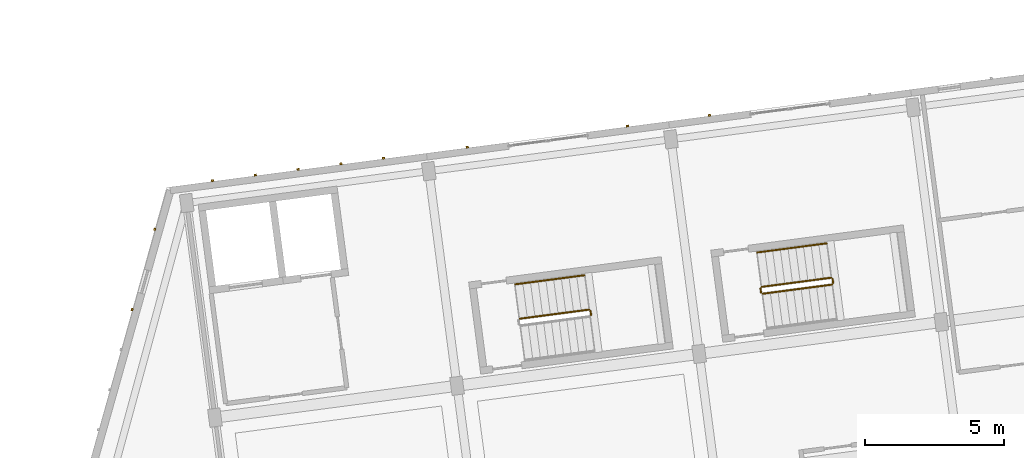
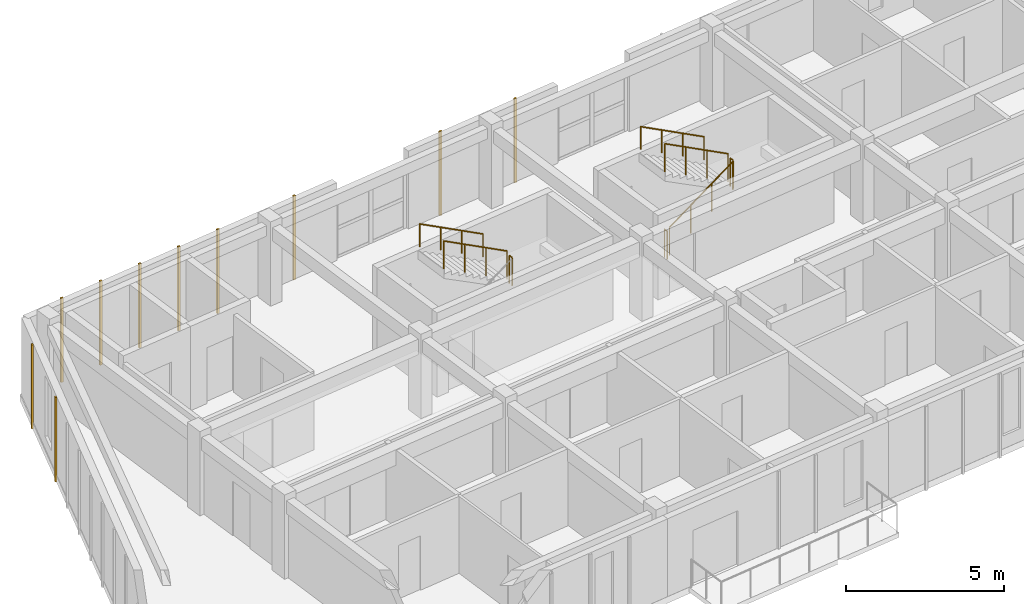
# One storey, part 33 of 45: 10 coverings, 8 railings.
"""IFC4 building model written with IfcOpenShell, lengths in metres."""

from ifc_helpers import new_model, si_unit, direction, frame, origin, origin_2d, place, context, subcontext, project, spatial, rectangle, circle, extrude, material, layer, layer_set, type_object, element, save


model = new_model("IFC4")

# Units and contexts
model_context = context("Model", 3, precision=1e-05, world=origin(), true_north=direction((0.0, 1.0)))
body_context = subcontext(model_context, "Body", "Model", "MODEL_VIEW")
ifc_project = project(units=[si_unit("LENGTHUNIT", "METRE"), si_unit("AREAUNIT", "SQUARE_METRE"), si_unit("VOLUMEUNIT", "CUBIC_METRE"), si_unit("PLANEANGLEUNIT", "RADIAN"), si_unit("MASSUNIT", "GRAM", prefix="KILO")], contexts=[model_context])

# Site, building, storey
site_placement = place(None, origin())
site = spatial("IfcSite", under=ifc_project, at=site_placement, CompositionType="ELEMENT")
building_placement = place(site_placement, origin())
building = spatial("IfcBuilding", under=site, at=building_placement, Name="Kestramere Prow Commons", CompositionType="ELEMENT")
storey_placement = place(building_placement, frame((0.0, 0.0, 31.14990234375)))
storey = spatial("IfcBuildingStorey", under=building, at=storey_placement, Name="L09", CompositionType="ELEMENT", Elevation=31.14990234375)

# Coverings
ifc_material_1 = material(Name="Weathered Zinc-Titanium Standing-Seam Cladding")
ifc_layer = layer(ifc_material_1, 0.074951171875)
ifc_layer_set = layer_set([ifc_layer], Name="Weathered Zinc-Titanium Standing-Seam Cladding")
covering_type = type_object("IfcCoveringType", Name="COV-CLAD-SEAM", PredefinedType="CLADDING", material=ifc_layer_set)
for number, where, z_axis, x_axis, name in (
    (1, (9.521484375, 92.635009765625, -0.25), (0.0, 0.0, 1.0), (0.991444861374, 0.13052619222, 0.0), "EW-A-L09-N-0 Standing-Seam Rib 1"),
    (2, (11.062255859375, 92.837890625, -0.25), (0.0, 0.0, 1.0), (0.991444861374, 0.13052619222, 0.0), "EW-A-L09-N-0 Standing-Seam Rib 2"),
    (3, (12.603271484375, 93.040771484375, -0.25), (0.0, 0.0, 1.0), (0.991444861374, 0.13052619222, 0.0), "EW-A-L09-N-0 Standing-Seam Rib 3"),
    (4, (14.14404296875, 93.243408203125, -0.25), (0.0, 0.0, 1.0), (0.991444861374, 0.13052619222, 0.0), "EW-A-L09-N-0 Standing-Seam Rib 4"),
    (5, (15.684814453125, 93.4462890625, -0.25), (0.0, 0.0, 1.0), (0.991444861374, 0.13052619222, 0.0), "EW-A-L09-N-0 Standing-Seam Rib 5"),
    (6, (18.700439453125, 93.843505859375, -0.25), (0.0, 0.0, 1.0), (0.991444861374, 0.13052619222, 0.0), "EW-A-L09-NP-1-L Standing-Seam Rib 1"),
    (7, (24.4755859375, 94.603759765625, -0.25), (0.0, 0.0, 1.0), (0.991444861374, 0.13052619222, 0.0), "EW-A-L09-NP-1-R Standing-Seam Rib 1"),
    (8, (27.42529296875, 94.991943359375, -0.25), (0.0, 0.0, 1.0), (0.991444861374, 0.13052619222, 0.0), "EW-A-L09-NP-2-L Standing-Seam Rib 1"),
    (9, (6.623291015625, 87.991943359375, -0.25), (0.0, 0.0, 1.0), (0.271159911526, 0.962534312314, 0.0), "EW-A-L09-PRW-N Standing-Seam Rib 10"),
    (10, (7.437255859375, 90.880615234375, -0.25), (0.0, 0.0, 1.0), (0.271159911526, 0.962534312314, 0.0), "EW-A-L09-PRW-N Standing-Seam Rib 12"),
):
    element("IfcCovering", number, at=place(storey_placement, frame(where, z_axis=z_axis, x_axis=x_axis)), inside=storey, type_object=covering_type, Name=name, PredefinedType="CLADDING", context=body_context, shape_type="SweptSolid", body=[
        extrude(rectangle(XDim=0.0849609375, YDim=0.06494140625, at=origin_2d()), origin(), (0.0, 0.0, 1.0), 3.25),
    ])

# Railings
ifc_material_2 = material(Name="Galvanised Steel S275JR", Category="steel")
railing_type_1 = type_object("IfcRailingType", Name="RL-ST-GR-1100", PredefinedType="GUARDRAIL", material=ifc_material_2)
railing_1_placement = place(storey_placement, frame((23.160400390625, 87.79638671875, 1.625)))
element("IfcRailing", 11, at=railing_1_placement, inside=storey, type_object=railing_type_1, Name="L09 ST-A1 stair guard 2", PredefinedType="GUARDRAIL", context=body_context, shape_type="SweptSolid", body=[
    extrude(circle(Radius=0.02392578125, at=origin_2d()), frame((0.0, 0.0, 1.076171875), z_axis=(-0.130243938252, 0.991481979941, 0.0), x_axis=(-0.991481979941, -0.130243938252, 0.0)), (0.0, 0.0, 1.0), 0.14990234375),
    extrude(circle(Radius=0.02099609375, at=origin_2d()), origin(), (0.0, 0.0, 1.0), 1.052001953125),
    extrude(circle(Radius=0.02099609375, at=origin_2d()), frame((-0.01953125, 0.148681640625, 0.0)), (0.0, 0.0, 1.0), 1.052001953125),
])
railing_2_placement = place(storey_placement, frame((23.084716796875, 87.988037109375, 1.78759765625)))
element("IfcRailing", 12, at=railing_2_placement, inside=storey, type_object=railing_type_1, Name="L09 ST-A1 stair guard 3", PredefinedType="GUARDRAIL", context=body_context, shape_type="SweptSolid", body=[
    extrude(circle(Radius=0.02392578125, at=origin_2d()), frame((0.0, 0.0, 1.076171875), z_axis=(-0.857500858922, -0.112875369585, 0.501947634608), x_axis=(0.130507144135, -0.991447368916, 0.0)), (0.0, 0.0, 1.0), 2.91357421875),
    extrude(circle(Radius=0.02099609375, at=origin_2d()), origin(), (0.0, 0.0, 1.0), 1.052001953125),
    extrude(circle(Radius=0.02099609375, at=origin_2d()), frame((-0.832763671875, -0.109619140625, 0.487548828125)), (0.0, 0.0, 1.0), 1.052001953125),
    extrude(circle(Radius=0.02099609375, at=origin_2d()), frame((-1.66552734375, -0.21923828125, 0.974853515625)), (0.0, 0.0, 1.0), 1.052001953125),
    extrude(circle(Radius=0.02099609375, at=origin_2d()), frame((-2.498291015625, -0.328857421875, 1.46240234375)), (0.0, 0.0, 1.0), 1.052001953125),
])
railing_3_placement = place(storey_placement, frame((29.34375, 88.559814453125, 0.16259765625)))
element("IfcRailing", 13, at=railing_3_placement, inside=storey, type_object=railing_type_1, Name="L09 ST-A2 stair guard 1", PredefinedType="GUARDRAIL", context=body_context, shape_type="SweptSolid", body=[
    extrude(circle(Radius=0.02392578125, at=origin_2d()), frame((0.0, 0.0, 1.076171875), z_axis=(0.857492745196, 0.112958098361, 0.501942885148), x_axis=(-0.130602379397, 0.991434828164, 0.0)), (0.0, 0.0, 1.0), 2.91357421875),
    extrude(circle(Radius=0.02099609375, at=origin_2d()), origin(), (0.0, 0.0, 1.0), 1.052001953125),
    extrude(circle(Radius=0.02099609375, at=origin_2d()), frame((0.832763671875, 0.109619140625, 0.487548828125)), (0.0, 0.0, 1.0), 1.052001953125),
    extrude(circle(Radius=0.02099609375, at=origin_2d()), frame((1.66552734375, 0.219482421875, 0.974853515625)), (0.0, 0.0, 1.0), 1.052001953125),
    extrude(circle(Radius=0.02099609375, at=origin_2d()), frame((2.498291015625, 0.3291015625, 1.46240234375)), (0.0, 0.0, 1.0), 1.052001953125),
])
railing_4_placement = place(storey_placement, frame((31.88525390625, 88.94482421875, 1.625)))
element("IfcRailing", 14, at=railing_4_placement, inside=storey, type_object=railing_type_1, Name="L09 ST-A2 stair guard 2", PredefinedType="GUARDRAIL", context=body_context, shape_type="SweptSolid", body=[
    extrude(circle(Radius=0.02392578125, at=origin_2d()), frame((0.0, 0.0, 1.076171875), z_axis=(-0.1300340368, 0.991509530601, 0.0), x_axis=(-0.991509530601, -0.1300340368, 0.0)), (0.0, 0.0, 1.0), 0.150146484375),
    extrude(circle(Radius=0.02099609375, at=origin_2d()), origin(), (0.0, 0.0, 1.0), 1.052001953125),
    extrude(circle(Radius=0.02099609375, at=origin_2d()), frame((-0.01953125, 0.14892578125, 0.0)), (0.0, 0.0, 1.0), 1.052001953125),
])
railing_5_placement = place(storey_placement, frame((31.8095703125, 89.13671875, 1.78759765625)))
element("IfcRailing", 15, at=railing_5_placement, inside=storey, type_object=railing_type_1, Name="L09 ST-A2 stair guard 3", PredefinedType="GUARDRAIL", context=body_context, shape_type="SweptSolid", body=[
    extrude(circle(Radius=0.02392578125, at=origin_2d()), frame((0.0, 0.0, 1.076171875), z_axis=(-0.85752303711, -0.112867259233, 0.501911568525), x_axis=(0.130494608992, -0.991449018873, 0.0)), (0.0, 0.0, 1.0), 2.91357421875),
    extrude(circle(Radius=0.02099609375, at=origin_2d()), origin(), (0.0, 0.0, 1.0), 1.052001953125),
    extrude(circle(Radius=0.02099609375, at=origin_2d()), frame((-0.832763671875, -0.109619140625, 0.487548828125)), (0.0, 0.0, 1.0), 1.052001953125),
    extrude(circle(Radius=0.02099609375, at=origin_2d()), frame((-1.665771484375, -0.21923828125, 0.974853515625)), (0.0, 0.0, 1.0), 1.052001953125),
    extrude(circle(Radius=0.02099609375, at=origin_2d()), frame((-2.49853515625, -0.328857421875, 1.46240234375)), (0.0, 0.0, 1.0), 1.052001953125),
])
railing_6_placement = place(storey_placement, frame((29.28759765625, 88.60302734375, 0.0)))
element("IfcRailing", 16, at=railing_6_placement, inside=storey, type_object=railing_type_1, Name="L09 ST-A2 stair guard 4", PredefinedType="GUARDRAIL", context=body_context, shape_type="SweptSolid", body=[
    extrude(circle(Radius=0.02392578125, at=origin_2d()), frame((0.0, 0.0, 1.076171875), z_axis=(-0.130243938252, 0.991481979941, 0.0), x_axis=(-0.991481979941, -0.130243938252, 0.0)), (0.0, 0.0, 1.0), 0.14990234375),
    extrude(circle(Radius=0.02099609375, at=origin_2d()), origin(), (0.0, 0.0, 1.0), 1.052001953125),
    extrude(circle(Radius=0.02099609375, at=origin_2d()), frame((-0.01953125, 0.148681640625, 0.0)), (0.0, 0.0, 1.0), 1.052001953125),
])
ifc_material_3 = material(Name="Stainless Steel 304", Category="steel")
railing_type_2 = type_object("IfcRailingType", Name="RL-ST-HR-900", PredefinedType="HANDRAIL", material=ifc_material_3)
for number, where, name in (
    (17, (22.921630859375, 89.227294921875, 1.9501953125), "L09 ST-A1 stair handrail 2"),
    (18, (31.646484375, 90.3759765625, 1.9501953125), "L09 ST-A2 stair handrail 2"),
):
    element("IfcRailing", number, at=place(storey_placement, frame(where)), inside=storey, type_object=railing_type_2, Name=name, PredefinedType="HANDRAIL", context=body_context, shape_type="SweptSolid", body=[
        extrude(circle(Radius=0.02392578125, at=origin_2d()), frame((0.0, 0.0, 0.8759765625), z_axis=(-0.85752303711, -0.112867259233, 0.501911568525), x_axis=(0.130494608992, -0.991449018873, 0.0)), (0.0, 0.0, 1.0), 2.91357421875),
        extrude(circle(Radius=0.02099609375, at=origin_2d()), origin(), (0.0, 0.0, 1.0), 0.851806640625),
        extrude(circle(Radius=0.02099609375, at=origin_2d()), frame((-0.832763671875, -0.109619140625, 0.487548828125)), (0.0, 0.0, 1.0), 0.851806640625),
        extrude(circle(Radius=0.02099609375, at=origin_2d()), frame((-1.665771484375, -0.21923828125, 0.974853515625)), (0.0, 0.0, 1.0), 0.851806640625),
        extrude(circle(Radius=0.02099609375, at=origin_2d()), frame((-2.49853515625, -0.328857421875, 1.46240234375)), (0.0, 0.0, 1.0), 0.851806640625),
    ])

save(model, "model.ifc")
